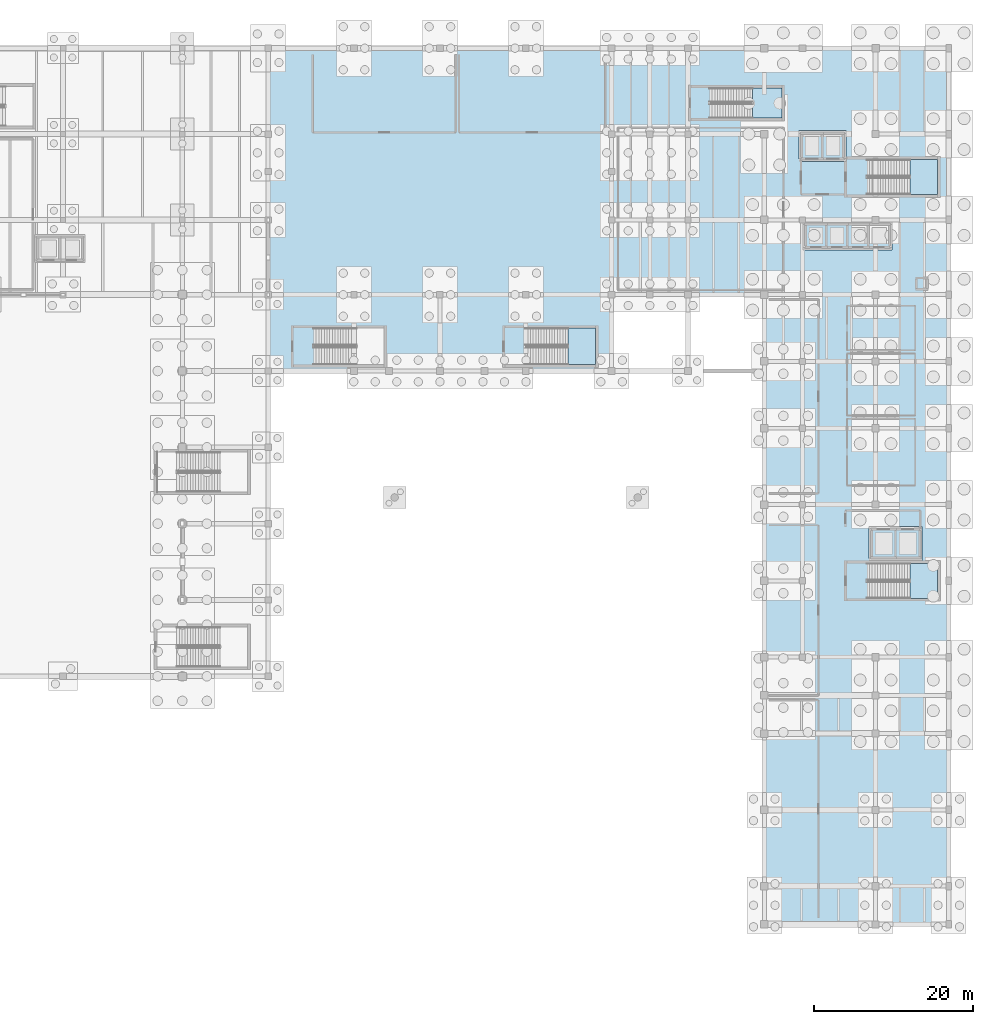
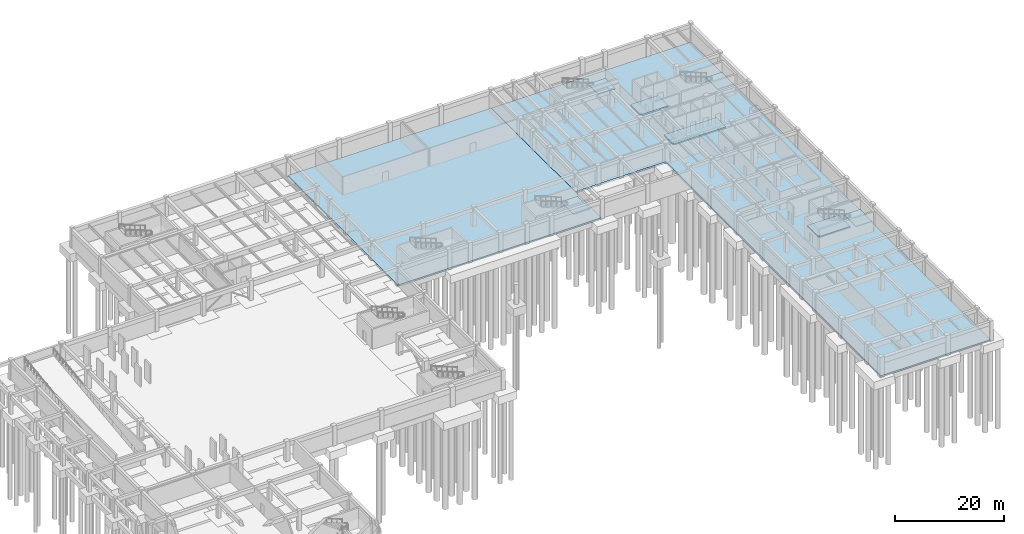
# One storey, part 12 of 33: 9 slabs, 4 elements without a shape of their own.
"""IFC4 building model written with IfcOpenShell, lengths in metres."""

from ifc_helpers import new_model, si_unit, direction, frame, origin, place, context, subcontext, project, spatial, polyline, outline, extrude, material, layer, layer_set, type_object, element, aggregate, save


model = new_model("IFC4")

# Units and contexts
model_context = context("Model", 3, precision=1e-05, world=origin(), true_north=direction((0.0, 1.0)))
body_context = subcontext(model_context, "Body", "Model", "MODEL_VIEW")
ifc_project = project(units=[si_unit("LENGTHUNIT", "METRE"), si_unit("AREAUNIT", "SQUARE_METRE"), si_unit("VOLUMEUNIT", "CUBIC_METRE"), si_unit("PLANEANGLEUNIT", "RADIAN"), si_unit("MASSUNIT", "GRAM", prefix="KILO")], contexts=[model_context])

# Site, building, storey
site_placement = place(None, origin())
site = spatial("IfcSite", under=ifc_project, at=site_placement, CompositionType="ELEMENT")
building_placement = place(site_placement, origin())
building = spatial("IfcBuilding", under=site, at=building_placement, Name="Veldera Park Congress Hotel", CompositionType="ELEMENT")
storey_placement = place(building_placement, frame((0.0, 0.0, -4.5)))
storey = spatial("IfcBuildingStorey", under=building, at=storey_placement, Name="B1", CompositionType="ELEMENT", Elevation=-4.5)

# Slabs
ifc_material = material(Name="Concrete f'c 40 MPa (5,800 psi)", Category="concrete")
ifc_layer_1 = layer(ifc_material, 0.39990234375)
ifc_layer_set_1 = layer_set([ifc_layer_1], Name="Concrete f'c 40 MPa (5,800 psi)")
slab_type_1 = type_object("IfcSlabType", Name="SLB-MAT400", PredefinedType="BASESLAB", material=ifc_layer_set_1)
slab_1_placement = place(storey_placement, frame((0.0, 0.0, -0.39990234375)))
element("IfcSlab", 1, at=slab_1_placement, inside=storey, type_object=slab_type_1, Name="B1 Basement Mat Slab SLB-B1-C1", PredefinedType="BASESLAB", context=body_context, shape_type="SweptSolid", body=[
    extrude(outline(polyline([(-1.60009765625, 17.659912109375), (-1.340087890625, 17.659912109375), (-1.340087890625, 17.39990234375), (41.60009765625, 17.39990234375), (41.60009765625, 58.0), (-1.60009765625, 58.0), (-1.60009765625, 17.659912109375)])), origin(), (0.0, 0.0, 1.0), 0.39990234375),
])
slab_2_placement = place(storey_placement, frame((0.0, 0.0, -0.39990234375)))
element("IfcSlab", 2, at=slab_2_placement, inside=storey, type_object=slab_type_1, Name="B1 Basement Mat Slab SLB-B1-E1", PredefinedType="BASESLAB", context=body_context, shape_type="SweptSolid", body=[
    extrude(outline(polyline([(60.800048828125, -52.199951171875), (84.0, -52.199951171875), (84.0, 58.0), (41.60009765625, 58.0), (41.60009765625, 27.0), (60.800048828125, 27.0), (60.800048828125, -52.199951171875)])), origin(), (0.0, 0.0, 1.0), 0.39990234375),
])
ifc_layer_2 = layer(ifc_material, 0.320068359375)
ifc_layer_set_2 = layer_set([ifc_layer_2], Name="Concrete f'c 40 MPa (5,800 psi)")
slab_type_2 = type_object("IfcSlabType", Name="SLB-PIT320", PredefinedType="BASESLAB", material=ifc_layer_set_2)
slab_3_placement = place(storey_placement, frame((0.0, 0.0, -1.5)))
element("IfcSlab", 3, at=slab_3_placement, inside=storey, type_object=slab_type_2, Name="Elevator Duplex Pit Base Slab PIT-FL", PredefinedType="BASESLAB", context=body_context, shape_type="SweptSolid", body=[
    extrude(outline(polyline([(65.179931640625, 44.0400390625), (65.43994140625, 44.0400390625), (65.43994140625, 43.780029296875), (71.070068359375, 43.780029296875), (71.070068359375, 47.6201171875), (65.179931640625, 47.6201171875), (65.179931640625, 44.0400390625)])), origin(), (0.0, 0.0, 1.0), 0.320068359375),
])
slab_4_placement = place(storey_placement, frame((0.0, 0.0, -1.5)))
element("IfcSlab", 4, at=slab_4_placement, inside=storey, type_object=slab_type_2, Name="Elevator Duplex Pit Base Slab PIT-PL", PredefinedType="BASESLAB", context=body_context, shape_type="SweptSolid", body=[
    extrude(outline(polyline([(65.679931640625, 32.889892578125), (65.93994140625, 32.889892578125), (65.93994140625, 32.6298828125), (76.8701171875, 32.6298828125), (76.8701171875, 36.169921875), (65.679931640625, 36.169921875), (65.679931640625, 32.889892578125)])), origin(), (0.0, 0.0, 1.0), 0.320068359375),
])
slab_5_placement = place(storey_placement, frame((0.0, 0.0, -1.5)))
element("IfcSlab", 5, at=slab_5_placement, inside=storey, type_object=slab_type_2, Name="Elevator Duplex Pit Base Slab PIT-SL", PredefinedType="BASESLAB", context=body_context, shape_type="SweptSolid", body=[
    extrude(outline(polyline([(73.97998046875, -6.159912109375), (74.239990234375, -6.159912109375), (74.239990234375, -6.419921875), (80.669921875, -6.419921875), (80.669921875, -2.179931640625), (73.97998046875, -2.179931640625), (73.97998046875, -6.159912109375)])), origin(), (0.0, 0.0, 1.0), 0.320068359375),
])

# Stair, slab
stair_type_1 = type_object("IfcStairType", Name="ST1", PredefinedType="HALF_TURN_STAIR", material=ifc_material)
stair_1_placement = place(storey_placement, origin())
stair_1 = element("IfcStair", 6, at=stair_1_placement, inside=storey, type_object=stair_type_1, Name="B1 Protected Exit Stair ST1", PredefinedType="HALF_TURN_STAIR")
ifc_layer_3 = layer(ifc_material, 0.199951171875)
ifc_layer_set_3 = layer_set([ifc_layer_3], Name="Concrete f'c 40 MPa (5,800 psi)")
slab_type_3 = type_object("IfcSlabType", Name="SLD-ST1", PredefinedType="LANDING", material=ifc_layer_set_3)
slab_6_placement = place(storey_placement, frame((0.0, 0.0, 2.050048828125)))
slab_6 = element("IfcSlab", 7, at=slab_6_placement, type_object=slab_type_3, Name="ST1 landing 1", PredefinedType="LANDING", context=body_context, shape_type="SweptSolid", body=[
    extrude(outline(polyline([(79.125, 39.60009765625), (82.60009765625, 39.60009765625), (82.60009765625, 44.0), (79.125, 44.0), (79.125, 39.60009765625)])), origin(), (0.0, 0.0, 1.0), 0.199951171875),
])
aggregate(stair_1, [slab_6])

stair_type_2 = type_object("IfcStairType", Name="ST2", PredefinedType="HALF_TURN_STAIR", material=ifc_material)
stair_2_placement = place(storey_placement, origin())
stair_2 = element("IfcStair", 8, at=stair_2_placement, inside=storey, type_object=stair_type_2, Name="B1 Protected Exit Stair ST2", PredefinedType="HALF_TURN_STAIR")
ifc_layer_4 = layer(ifc_material, 0.199951171875)
ifc_layer_set_4 = layer_set([ifc_layer_4], Name="Concrete f'c 40 MPa (5,800 psi)")
slab_type_4 = type_object("IfcSlabType", Name="SLD-ST2", PredefinedType="LANDING", material=ifc_layer_set_4)
slab_7_placement = place(storey_placement, frame((0.0, 0.0, 2.050048828125)))
slab_7 = element("IfcSlab", 9, at=slab_7_placement, type_object=slab_type_4, Name="ST2 landing 1", PredefinedType="LANDING", context=body_context, shape_type="SweptSolid", body=[
    extrude(outline(polyline([(79.125, -11.199951171875), (82.60009765625, -11.199951171875), (82.60009765625, -6.800048828125), (79.125, -6.800048828125), (79.125, -11.199951171875)])), origin(), (0.0, 0.0, 1.0), 0.199951171875),
])
aggregate(stair_2, [slab_7])

stair_type_3 = type_object("IfcStairType", Name="ST3", PredefinedType="HALF_TURN_STAIR", material=ifc_material)
stair_3_placement = place(storey_placement, origin())
stair_3 = element("IfcStair", 10, at=stair_3_placement, inside=storey, type_object=stair_type_3, Name="B1 Protected Exit Stair ST3", PredefinedType="HALF_TURN_STAIR")
ifc_layer_5 = layer(ifc_material, 0.199951171875)
ifc_layer_set_5 = layer_set([ifc_layer_5], Name="Concrete f'c 40 MPa (5,800 psi)")
slab_type_5 = type_object("IfcSlabType", Name="SLD-ST3", PredefinedType="LANDING", material=ifc_layer_set_5)
slab_8_placement = place(storey_placement, frame((0.0, 0.0, 2.050048828125)))
slab_8 = element("IfcSlab", 11, at=slab_8_placement, type_object=slab_type_5, Name="ST3 landing 1", PredefinedType="LANDING", context=body_context, shape_type="SweptSolid", body=[
    extrude(outline(polyline([(59.324951171875, 49.199951171875), (63.0, 49.199951171875), (63.0, 53.0), (59.324951171875, 53.0), (59.324951171875, 49.199951171875)])), origin(), (0.0, 0.0, 1.0), 0.199951171875),
])
aggregate(stair_3, [slab_8])

stair_type_4 = type_object("IfcStairType", Name="ST7", PredefinedType="HALF_TURN_STAIR", material=ifc_material)
stair_4_placement = place(storey_placement, origin())
stair_4 = element("IfcStair", 12, at=stair_4_placement, inside=storey, type_object=stair_type_4, Name="B1 Protected Exit Stair ST7", PredefinedType="HALF_TURN_STAIR")
ifc_layer_6 = layer(ifc_material, 0.199951171875)
ifc_layer_set_6 = layer_set([ifc_layer_6], Name="Concrete f'c 40 MPa (5,800 psi)")
slab_type_6 = type_object("IfcSlabType", Name="SLD-ST7", PredefinedType="LANDING", material=ifc_layer_set_6)
slab_9_placement = place(storey_placement, frame((0.0, 0.0, 2.050048828125)))
slab_9 = element("IfcSlab", 13, at=slab_9_placement, type_object=slab_type_6, Name="ST7 landing 1", PredefinedType="LANDING", context=body_context, shape_type="SweptSolid", body=[
    extrude(outline(polyline([(36.125, 18.199951171875), (39.60009765625, 18.199951171875), (39.60009765625, 22.800048828125), (36.125, 22.800048828125), (36.125, 18.199951171875)])), origin(), (0.0, 0.0, 1.0), 0.199951171875),
])
aggregate(stair_4, [slab_9])

save(model, "model.ifc")
